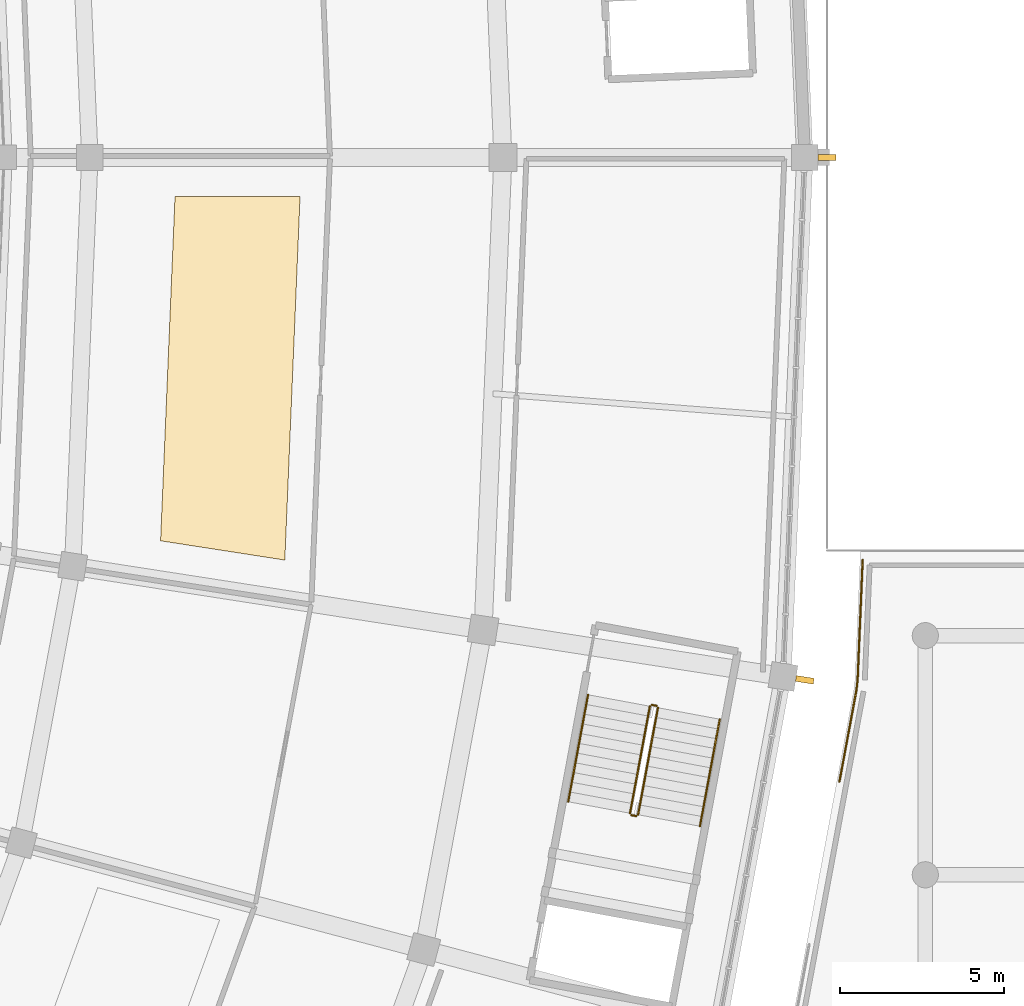
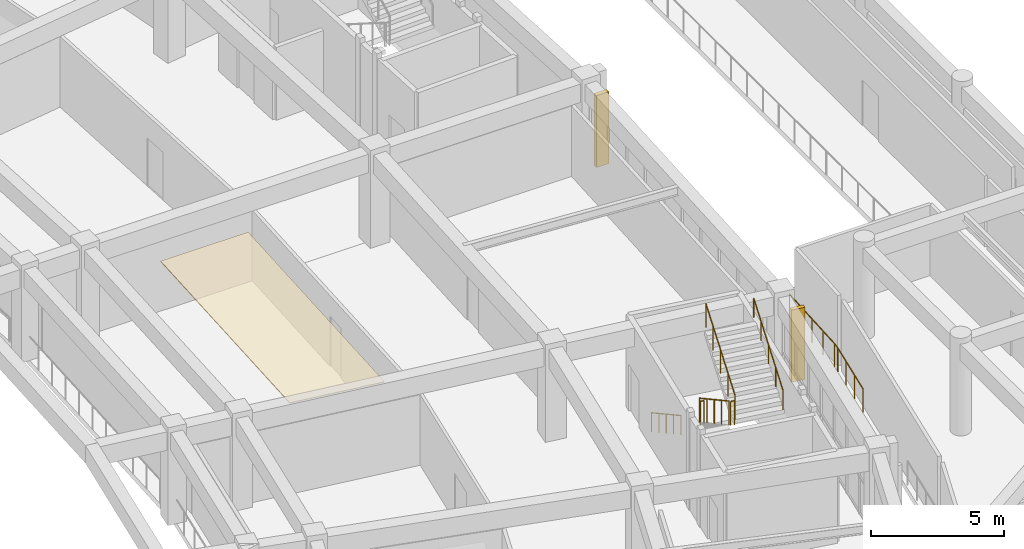
# One storey, part 132 of 145: 7 railings, 2 shading devices, 1 covering.
"""IFC4 building model written with IfcOpenShell, lengths in metres."""

from ifc_helpers import new_model, si_unit, direction, frame, origin, origin_2d, place, context, subcontext, project, spatial, polyline, rectangle, circle, outline, extrude, material, layer, layer_set, type_object, element, save


model = new_model("IFC4")

# Units and contexts
model_context = context("Model", 3, precision=1e-05, world=origin(), true_north=direction((0.0, 1.0)))
body_context = subcontext(model_context, "Body", "Model", "MODEL_VIEW")
ifc_project = project(units=[si_unit("LENGTHUNIT", "METRE"), si_unit("AREAUNIT", "SQUARE_METRE"), si_unit("VOLUMEUNIT", "CUBIC_METRE"), si_unit("PLANEANGLEUNIT", "RADIAN"), si_unit("MASSUNIT", "GRAM", prefix="KILO")], contexts=[model_context])

# Site, building, storey
site_placement = place(None, origin())
site = spatial("IfcSite", under=ifc_project, at=site_placement, CompositionType="ELEMENT")
building_placement = place(site_placement, origin())
building = spatial("IfcBuilding", under=site, at=building_placement, Name="Mphavela Belvedere Stadium", CompositionType="ELEMENT")
storey_placement = place(building_placement, frame((0.0, 0.0, 10.199951171875)))
storey = spatial("IfcBuildingStorey", under=building, at=storey_placement, Name="L02", CompositionType="ELEMENT", Elevation=10.199951171875)

# Covering
ifc_material_1 = material(Name="Perforated acoustic mineral ceiling tile")
ifc_layer = layer(ifc_material_1, 0.0400390625)
ifc_layer_set = layer_set([ifc_layer], Name="Perforated acoustic mineral ceiling tile")
covering_type = type_object("IfcCoveringType", Name="COV-CEILING-ACOUSTIC", PredefinedType="CEILING", material=ifc_layer_set)
covering_placement = place(storey_placement, frame((0.0, 0.0, 3.199951171875)))
element("IfcCovering", 1, at=covering_placement, inside=storey, type_object=covering_type, Name="Concourse acoustic ceiling L02-48", PredefinedType="CEILING", context=body_context, shape_type="SweptSolid", body=[
    extrude(outline(polyline([(198.154296875, 75.29638671875), (198.59521484375, 85.8134765625), (202.4130859375, 85.8134765625), (201.947509765625, 74.708251953125), (198.154296875, 75.29638671875)])), origin(), (0.0, 0.0, 1.0), 0.0400390625),
])

# Railings
ifc_material_2 = material(Name="Bronze and laminated glass stadium balustrade", Category="glass")
railing_type_1 = type_object("IfcRailingType", Name="RAL-BALUSTRADE-1120", PredefinedType="BALUSTRADE", material=ifc_material_2)
railing_1_placement = place(storey_placement, frame((218.87841796875, 67.946533203125, 0.0)))
element("IfcRailing", 2, at=railing_1_placement, inside=storey, type_object=railing_type_1, Name="Peristyle wing gallery edge balustrade L02-61", PredefinedType="BALUSTRADE", context=body_context, shape_type="SweptSolid", body=[
    extrude(circle(Radius=0.02392578125, at=origin_2d()), frame((0.0, 0.0, 1.09619140625), z_axis=(0.182689544832, 0.983170651621, 0.0), x_axis=(-0.983170651621, 0.182689544832, 0.0)), (0.0, 0.0, 1.0), 2.83984375),
    extrude(circle(Radius=0.02392578125, at=origin_2d()), frame((0.518798828125, 2.7919921875, 1.09619140625), z_axis=(0.113134174083, 0.993579719325, 0.0), x_axis=(-0.993579719325, 0.113134174083, 0.0)), (0.0, 0.0, 1.0), 0.317138671875),
    extrude(circle(Radius=0.02392578125, at=origin_2d()), frame((0.5546875, 3.107177734375, 1.09619140625), z_axis=(0.041915584211, 0.999121155716, 0.0), x_axis=(-0.999121155716, 0.041915584211, 0.0)), (0.0, 0.0, 1.0), 3.66943359375),
    extrude(circle(Radius=0.02099609375, at=origin_2d()), origin(), (0.0, 0.0, 1.0), 1.072021484375),
    extrude(circle(Radius=0.02099609375, at=origin_2d()), frame((0.1728515625, 0.9306640625, 0.0)), (0.0, 0.0, 1.0), 1.072021484375),
    extrude(circle(Radius=0.02099609375, at=origin_2d()), frame((0.345947265625, 1.861328125, 0.0)), (0.0, 0.0, 1.0), 1.072021484375),
    extrude(circle(Radius=0.02099609375, at=origin_2d()), frame((0.518798828125, 2.7919921875, 0.0)), (0.0, 0.0, 1.0), 1.072021484375),
    extrude(circle(Radius=0.02099609375, at=origin_2d()), frame((0.5546875, 3.107177734375, 0.0)), (0.0, 0.0, 1.0), 1.072021484375),
    extrude(circle(Radius=0.02099609375, at=origin_2d()), frame((0.59326171875, 4.023681640625, 0.0)), (0.0, 0.0, 1.0), 1.072021484375),
    extrude(circle(Radius=0.02099609375, at=origin_2d()), frame((0.631591796875, 4.9404296875, 0.0)), (0.0, 0.0, 1.0), 1.072021484375),
    extrude(circle(Radius=0.02099609375, at=origin_2d()), frame((0.669921875, 5.85693359375, 0.0)), (0.0, 0.0, 1.0), 1.072021484375),
    extrude(circle(Radius=0.02099609375, at=origin_2d()), frame((0.70849609375, 6.7734375, 0.0)), (0.0, 0.0, 1.0), 1.072021484375),
])
ifc_material_3 = material(Name="Painted galvanised steel stair guardrail", Category="steel")
railing_type_2 = type_object("IfcRailingType", Name="RAL-GUARD-1120", PredefinedType="GUARDRAIL", material=ifc_material_3)
railing_2_placement = place(storey_placement, frame((213.092041015625, 70.24609375, 0.1875)))
element("IfcRailing", 3, at=railing_2_placement, inside=storey, type_object=railing_type_2, Name="L02 ST-C12 stair guard 1", PredefinedType="GUARDRAIL", context=body_context, shape_type="SweptSolid", body=[
    extrude(circle(Radius=0.02392578125, at=origin_2d()), frame((0.0, 0.0, 1.09619140625), z_axis=(-0.155095634283, -0.835293637457, 0.527475007418), x_axis=(0.983195143855, -0.182557687049, 0.0)), (0.0, 0.0, 1.0), 3.91015625),
    extrude(circle(Radius=0.02099609375, at=origin_2d()), origin(), (0.0, 0.0, 1.0), 1.072021484375),
    extrude(circle(Radius=0.02099609375, at=origin_2d()), frame((-0.151611328125, -0.81640625, 0.515625)), (0.0, 0.0, 1.0), 1.072021484375),
    extrude(circle(Radius=0.02099609375, at=origin_2d()), frame((-0.30322265625, -1.633056640625, 1.03125)), (0.0, 0.0, 1.0), 1.072021484375),
    extrude(circle(Radius=0.02099609375, at=origin_2d()), frame((-0.454833984375, -2.44970703125, 1.546875)), (0.0, 0.0, 1.0), 1.072021484375),
    extrude(circle(Radius=0.02099609375, at=origin_2d()), frame((-0.6064453125, -3.26611328125, 2.0625)), (0.0, 0.0, 1.0), 1.072021484375),
])
railing_3_placement = place(storey_placement, frame((212.525634765625, 66.921630859375, 2.25)))
element("IfcRailing", 4, at=railing_3_placement, inside=storey, type_object=railing_type_2, Name="L02 ST-C12 stair guard 2", PredefinedType="GUARDRAIL", context=body_context, shape_type="SweptSolid", body=[
    extrude(circle(Radius=0.02392578125, at=origin_2d()), frame((0.0, 0.0, 1.09619140625), z_axis=(0.983238797529, -0.182322426032, 0.0), x_axis=(0.182322426032, 0.983238797529, 0.0)), (0.0, 0.0, 1.0), 0.14990234375),
    extrude(circle(Radius=0.02099609375, at=origin_2d()), origin(), (0.0, 0.0, 1.0), 1.072021484375),
    extrude(circle(Radius=0.02099609375, at=origin_2d()), frame((0.1474609375, -0.02734375, 0.0)), (0.0, 0.0, 1.0), 1.072021484375),
])
railing_4_placement = place(storey_placement, frame((212.7314453125, 66.934326171875, 2.4375)))
element("IfcRailing", 5, at=railing_4_placement, inside=storey, type_object=railing_type_2, Name="L02 ST-C12 stair guard 3", PredefinedType="GUARDRAIL", context=body_context, shape_type="SweptSolid", body=[
    extrude(circle(Radius=0.02392578125, at=origin_2d()), frame((0.0, 0.0, 1.09619140625), z_axis=(0.155095634283, 0.835293637457, 0.527475007418), x_axis=(-0.983195143855, 0.182557687049, 0.0)), (0.0, 0.0, 1.0), 3.91015625),
    extrude(circle(Radius=0.02099609375, at=origin_2d()), origin(), (0.0, 0.0, 1.0), 1.072021484375),
    extrude(circle(Radius=0.02099609375, at=origin_2d()), frame((0.151611328125, 0.81640625, 0.515625)), (0.0, 0.0, 1.0), 1.072021484375),
    extrude(circle(Radius=0.02099609375, at=origin_2d()), frame((0.30322265625, 1.633056640625, 1.03125)), (0.0, 0.0, 1.0), 1.072021484375),
    extrude(circle(Radius=0.02099609375, at=origin_2d()), frame((0.454833984375, 2.44970703125, 1.546875)), (0.0, 0.0, 1.0), 1.072021484375),
    extrude(circle(Radius=0.02099609375, at=origin_2d()), frame((0.6064453125, 3.26611328125, 2.0625)), (0.0, 0.0, 1.0), 1.072021484375),
])
railing_5_placement = place(storey_placement, frame((213.150390625, 70.2861328125, 0.0)))
element("IfcRailing", 6, at=railing_5_placement, inside=storey, type_object=railing_type_2, Name="L02 ST-C12 stair guard 4", PredefinedType="GUARDRAIL", context=body_context, shape_type="SweptSolid", body=[
    extrude(circle(Radius=0.02392578125, at=origin_2d()), frame((0.0, 0.0, 1.09619140625), z_axis=(0.983238797529, -0.182322426032, 0.0), x_axis=(0.182322426032, 0.983238797529, 0.0)), (0.0, 0.0, 1.0), 0.14990234375),
    extrude(circle(Radius=0.02099609375, at=origin_2d()), origin(), (0.0, 0.0, 1.0), 1.072021484375),
    extrude(circle(Radius=0.02099609375, at=origin_2d()), frame((0.1474609375, -0.02734375, 0.0)), (0.0, 0.0, 1.0), 1.072021484375),
])
ifc_material_4 = material(Name="Brushed stainless steel tubular handrail", Category="steel")
railing_type_3 = type_object("IfcRailingType", Name="RAL-HANDRAIL-900", PredefinedType="HANDRAIL", material=ifc_material_4)
railing_6_placement = place(storey_placement, frame((211.204345703125, 70.5966796875, 0.1875)))
element("IfcRailing", 7, at=railing_6_placement, inside=storey, type_object=railing_type_3, Name="L02 ST-C12 stair handrail 1", PredefinedType="HANDRAIL", context=body_context, shape_type="SweptSolid", body=[
    extrude(circle(Radius=0.02392578125, at=origin_2d()), frame((0.0, 0.0, 0.8759765625), z_axis=(-0.155095634283, -0.835293637457, 0.527475007418), x_axis=(0.983195143855, -0.182557687049, 0.0)), (0.0, 0.0, 1.0), 3.91015625),
    extrude(circle(Radius=0.02099609375, at=origin_2d()), origin(), (0.0, 0.0, 1.0), 0.851806640625),
    extrude(circle(Radius=0.02099609375, at=origin_2d()), frame((-0.151611328125, -0.81640625, 0.515625)), (0.0, 0.0, 1.0), 0.851806640625),
    extrude(circle(Radius=0.02099609375, at=origin_2d()), frame((-0.30322265625, -1.633056640625, 1.03125)), (0.0, 0.0, 1.0), 0.851806640625),
    extrude(circle(Radius=0.02099609375, at=origin_2d()), frame((-0.454833984375, -2.44970703125, 1.546875)), (0.0, 0.0, 1.0), 0.851806640625),
    extrude(circle(Radius=0.02099609375, at=origin_2d()), frame((-0.6064453125, -3.26611328125, 2.0625)), (0.0, 0.0, 1.0), 0.851806640625),
])
railing_7_placement = place(storey_placement, frame((214.619140625, 66.583740234375, 2.4375)))
element("IfcRailing", 8, at=railing_7_placement, inside=storey, type_object=railing_type_3, Name="L02 ST-C12 stair handrail 2", PredefinedType="HANDRAIL", context=body_context, shape_type="SweptSolid", body=[
    extrude(circle(Radius=0.02392578125, at=origin_2d()), frame((0.0, 0.0, 0.8759765625), z_axis=(0.155087545765, 0.835312509979, 0.52744749864), x_axis=(-0.983197592928, 0.182544496661, 0.0)), (0.0, 0.0, 1.0), 3.910400390625),
    extrude(circle(Radius=0.02099609375, at=origin_2d()), origin(), (0.0, 0.0, 1.0), 0.851806640625),
    extrude(circle(Radius=0.02099609375, at=origin_2d()), frame((0.151611328125, 0.816650390625, 0.515625)), (0.0, 0.0, 1.0), 0.851806640625),
    extrude(circle(Radius=0.02099609375, at=origin_2d()), frame((0.30322265625, 1.63330078125, 1.03125)), (0.0, 0.0, 1.0), 0.851806640625),
    extrude(circle(Radius=0.02099609375, at=origin_2d()), frame((0.454833984375, 2.44970703125, 1.546875)), (0.0, 0.0, 1.0), 0.851806640625),
    extrude(circle(Radius=0.02099609375, at=origin_2d()), frame((0.6064453125, 3.266357421875, 2.0625)), (0.0, 0.0, 1.0), 0.851806640625),
])

# Shading devices
ifc_material_5 = material(Name="Honed limestone and bronze vertical brise-soleil fin", Category="masonry")
shading_device_type = type_object("IfcShadingDeviceType", Name="SHD-SOLAR-FIN", PredefinedType="USERDEFINED", material=ifc_material_5)
for number, where, z_axis, x_axis, name in (
    (9, (218.492919921875, 87.0, 0.0), (0.0, 0.0, 1.0), (1.0, 0.0, 0.0), "Classical vertical solar brise-soleil fin L02-01"),
    (10, (217.8203125, 71.0517578125, 0.0), (0.0, 0.0, 1.0), (0.98817491911, -0.153330783737, 0.0), "Classical vertical solar brise-soleil fin L02-48"),
):
    element("IfcShadingDevice", number, at=place(storey_placement, frame(where, z_axis=z_axis, x_axis=x_axis)), inside=storey, type_object=shading_device_type, Name=name, ObjectType="SOLAR FIN", PredefinedType="USERDEFINED", context=body_context, shape_type="SweptSolid", body=[
        extrude(rectangle(XDim=0.550048828125, YDim=0.179931640625, at=origin_2d()), origin(), (0.0, 0.0, 1.0), 3.320068359375),
    ])

save(model, "model.ifc")
